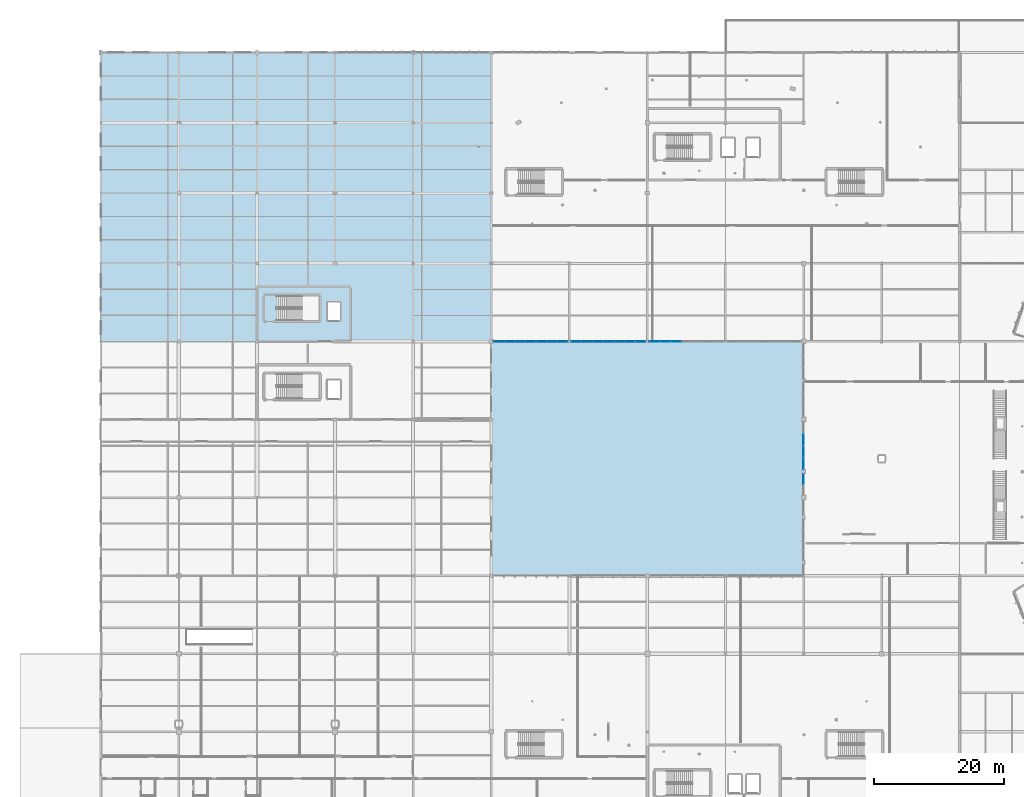
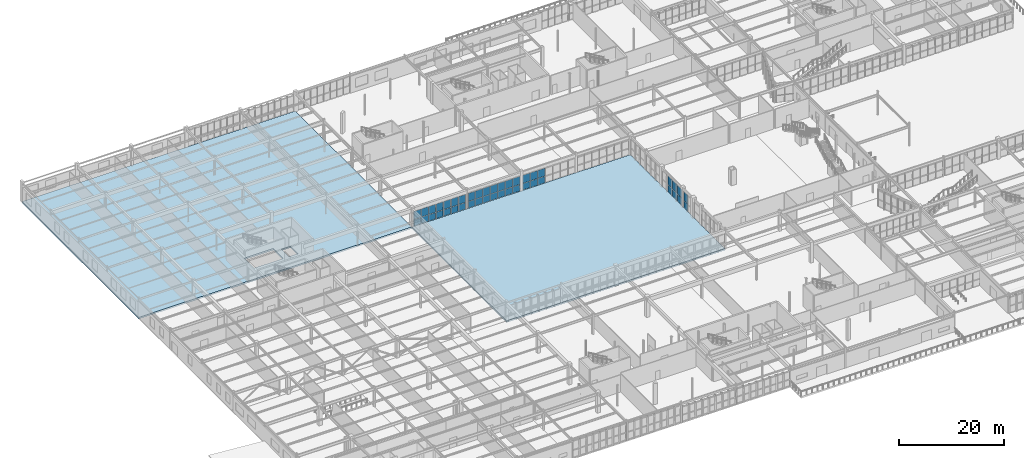
# One storey, part 120 of 199: 42 plates, 2 slabs, 5 elements without a shape of their own.
"""IFC4 building model written with IfcOpenShell, lengths in metres."""

from ifc_helpers import new_model, si_unit, direction, frame, origin, origin_2d, place, context, subcontext, project, spatial, polyline, rectangle, outline, extrude, material, layer, layer_set, type_object, element, aggregate, save


model = new_model("IFC4")

# Units and contexts
model_context = context("Model", 3, precision=1e-05, world=origin(), true_north=direction((0.0, 1.0)))
body_context = subcontext(model_context, "Body", "Model", "MODEL_VIEW")
ifc_project = project(units=[si_unit("LENGTHUNIT", "METRE"), si_unit("AREAUNIT", "SQUARE_METRE"), si_unit("VOLUMEUNIT", "CUBIC_METRE"), si_unit("PLANEANGLEUNIT", "RADIAN"), si_unit("MASSUNIT", "GRAM", prefix="KILO")], contexts=[model_context])

# Site, building, storey
site_placement = place(None, origin())
site = spatial("IfcSite", under=ifc_project, at=site_placement, CompositionType="ELEMENT")
building_placement = place(site_placement, origin())
building = spatial("IfcBuilding", under=site, at=building_placement, Name="Tarnwether General Hospital", CompositionType="ELEMENT")
storey_placement = place(building_placement, origin())
storey = spatial("IfcBuildingStorey", under=building, at=storey_placement, Name="L00", CompositionType="ELEMENT", Elevation=0.0)

# Curtain wall, plates
ifc_material_1 = material(Name="Anodised aluminium", Category="aluminium")
ifc_layer_1 = layer(ifc_material_1, 0.179931640625)
ifc_layer_set_1 = layer_set([ifc_layer_1], Name="Anodised aluminium")
curtain_wall_type_1 = type_object("IfcCurtainWallType", Name="CW-08", PredefinedType="NOTDEFINED", material=ifc_layer_set_1)
curtain_wall_1_placement = place(storey_placement, origin())
curtain_wall_1 = element("IfcCurtainWall", 1, at=curtain_wall_1_placement, inside=storey, type_object=curtain_wall_type_1, Name="Curtain Wall CWG-L00-1080_580-0301", PredefinedType="NOTDEFINED")
ifc_material_2 = material(Name="Double glazed low-E glass", Category="glass")
ifc_layer_2 = layer(ifc_material_2, 0.028076171875)
ifc_layer_set_2 = layer_set([ifc_layer_2], Name="Double glazed low-E glass")
plate_type = type_object("IfcPlateType", Name="PT-CWP1", PredefinedType="CURTAIN_PANEL", material=ifc_layer_set_2)
plate_1_placement = place(storey_placement, frame((108.0, 60.437255859375, 0.06005859375), z_axis=(0.0, 0.0, 1.0), x_axis=(0.0, 1.0, 0.0)))
plate_1 = element("IfcPlate", 2, at=plate_1_placement, type_object=plate_type, Name="CW-08 panel 2.1", PredefinedType="CURTAIN_PANEL", context=body_context, shape_type="SweptSolid", body=[
    extrude(rectangle(XDim=1.53955078125, YDim=0.028076171875, at=origin_2d()), origin(), (0.0, 0.0, 1.0), 1.63037109375),
])
plate_2_placement = place(storey_placement, frame((108.0, 60.437255859375, 1.750244140625), z_axis=(0.0, 0.0, 1.0), x_axis=(0.0, 1.0, 0.0)))
plate_2 = element("IfcPlate", 3, at=plate_2_placement, type_object=plate_type, Name="CW-08 panel 2.2", PredefinedType="CURTAIN_PANEL", context=body_context, shape_type="SweptSolid", body=[
    extrude(rectangle(XDim=1.53955078125, YDim=0.028076171875, at=origin_2d()), origin(), (0.0, 0.0, 1.0), 2.0126953125),
])
aggregate(curtain_wall_1, [plate_1, plate_2])

curtain_wall_2_placement = place(storey_placement, origin())
curtain_wall_2 = element("IfcCurtainWall", 4, at=curtain_wall_2_placement, inside=storey, type_object=curtain_wall_type_1, Name="Curtain Wall CWG-L00-1080_619-0302", PredefinedType="NOTDEFINED")
plate_3_placement = place(storey_placement, frame((108.0, 62.8583984375, 0.06005859375), z_axis=(0.0, 0.0, 1.0), x_axis=(0.0, 1.0, 0.0)))
plate_3 = element("IfcPlate", 5, at=plate_3_placement, type_object=plate_type, Name="CW-08 panel 1.1", PredefinedType="CURTAIN_PANEL", context=body_context, shape_type="SweptSolid", body=[
    extrude(rectangle(XDim=1.73095703125, YDim=0.028076171875, at=origin_2d()), origin(), (0.0, 0.0, 1.0), 1.63037109375),
])
plate_4_placement = place(storey_placement, frame((108.0, 62.8583984375, 1.750244140625), z_axis=(0.0, 0.0, 1.0), x_axis=(0.0, 1.0, 0.0)))
plate_4 = element("IfcPlate", 6, at=plate_4_placement, type_object=plate_type, Name="CW-08 panel 1.2", PredefinedType="CURTAIN_PANEL", context=body_context, shape_type="SweptSolid", body=[
    extrude(rectangle(XDim=1.73095703125, YDim=0.028076171875, at=origin_2d()), origin(), (0.0, 0.0, 1.0), 2.0126953125),
])
plate_5_placement = place(storey_placement, frame((108.0, 64.66455078125, 0.06005859375), z_axis=(0.0, 0.0, 1.0), x_axis=(0.0, 1.0, 0.0)))
plate_5 = element("IfcPlate", 7, at=plate_5_placement, type_object=plate_type, Name="CW-08 panel 2.1", PredefinedType="CURTAIN_PANEL", context=body_context, shape_type="SweptSolid", body=[
    extrude(rectangle(XDim=1.760986328125, YDim=0.028076171875, at=origin_2d()), origin(), (0.0, 0.0, 1.0), 1.63037109375),
])
plate_6_placement = place(storey_placement, frame((108.0, 64.66455078125, 1.750244140625), z_axis=(0.0, 0.0, 1.0), x_axis=(0.0, 1.0, 0.0)))
plate_6 = element("IfcPlate", 8, at=plate_6_placement, type_object=plate_type, Name="CW-08 panel 2.2", PredefinedType="CURTAIN_PANEL", context=body_context, shape_type="SweptSolid", body=[
    extrude(rectangle(XDim=1.760986328125, YDim=0.028076171875, at=origin_2d()), origin(), (0.0, 0.0, 1.0), 2.0126953125),
])
plate_7_placement = place(storey_placement, frame((108.0, 66.485595703125, 0.06005859375), z_axis=(0.0, 0.0, 1.0), x_axis=(0.0, 1.0, 0.0)))
plate_7 = element("IfcPlate", 9, at=plate_7_placement, type_object=plate_type, Name="CW-08 panel 3.1", PredefinedType="CURTAIN_PANEL", context=body_context, shape_type="SweptSolid", body=[
    extrude(rectangle(XDim=1.760986328125, YDim=0.028076171875, at=origin_2d()), origin(), (0.0, 0.0, 1.0), 1.63037109375),
])
plate_8_placement = place(storey_placement, frame((108.0, 66.485595703125, 1.750244140625), z_axis=(0.0, 0.0, 1.0), x_axis=(0.0, 1.0, 0.0)))
plate_8 = element("IfcPlate", 10, at=plate_8_placement, type_object=plate_type, Name="CW-08 panel 3.2", PredefinedType="CURTAIN_PANEL", context=body_context, shape_type="SweptSolid", body=[
    extrude(rectangle(XDim=1.760986328125, YDim=0.028076171875, at=origin_2d()), origin(), (0.0, 0.0, 1.0), 2.0126953125),
])
aggregate(curtain_wall_2, [plate_3, plate_4, plate_5, plate_6, plate_7, plate_8])

ifc_material_3 = material(Name="Anodised aluminium", Category="aluminium")
ifc_layer_3 = layer(ifc_material_3, 0.159912109375)
ifc_layer_set_3 = layer_set([ifc_layer_3], Name="Anodised aluminium")
curtain_wall_type_2 = type_object("IfcCurtainWallType", Name="CW-23", PredefinedType="NOTDEFINED", material=ifc_layer_set_3)
curtain_wall_3_placement = place(storey_placement, origin())
curtain_wall_3 = element("IfcCurtainWall", 11, at=curtain_wall_3_placement, inside=storey, type_object=curtain_wall_type_2, Name="Curtain Wall CWG-L00-603_816-0305", PredefinedType="NOTDEFINED")
plate_9_placement = place(storey_placement, frame((61.166259765625, 81.60009765625, 0.06005859375), z_axis=(0.0, 0.0, 1.0), x_axis=(1.0, 0.0, 0.0)))
plate_9 = element("IfcPlate", 12, at=plate_9_placement, type_object=plate_type, Name="CW-23 panel 1.1", PredefinedType="CURTAIN_PANEL", context=body_context, shape_type="SweptSolid", body=[
    extrude(rectangle(XDim=1.546630859375, YDim=0.028076171875, at=origin_2d()), origin(), (0.0, 0.0, 1.0), 1.49853515625),
])
plate_10_placement = place(storey_placement, frame((61.166259765625, 81.60009765625, 1.618408203125), z_axis=(0.0, 0.0, 1.0), x_axis=(1.0, 0.0, 0.0)))
plate_10 = element("IfcPlate", 13, at=plate_10_placement, type_object=plate_type, Name="CW-23 panel 1.2", PredefinedType="CURTAIN_PANEL", context=body_context, shape_type="SweptSolid", body=[
    extrude(rectangle(XDim=1.546630859375, YDim=0.028076171875, at=origin_2d()), origin(), (0.0, 0.0, 1.0), 1.8515625),
])
plate_11_placement = place(storey_placement, frame((62.787841796875, 81.60009765625, 0.06005859375), z_axis=(0.0, 0.0, 1.0), x_axis=(1.0, 0.0, 0.0)))
plate_11 = element("IfcPlate", 14, at=plate_11_placement, type_object=plate_type, Name="CW-23 panel 2.1", PredefinedType="CURTAIN_PANEL", context=body_context, shape_type="SweptSolid", body=[
    extrude(rectangle(XDim=1.57666015625, YDim=0.028076171875, at=origin_2d()), origin(), (0.0, 0.0, 1.0), 1.49853515625),
])
plate_12_placement = place(storey_placement, frame((62.787841796875, 81.60009765625, 1.618408203125), z_axis=(0.0, 0.0, 1.0), x_axis=(1.0, 0.0, 0.0)))
plate_12 = element("IfcPlate", 15, at=plate_12_placement, type_object=plate_type, Name="CW-23 panel 2.2", PredefinedType="CURTAIN_PANEL", context=body_context, shape_type="SweptSolid", body=[
    extrude(rectangle(XDim=1.57666015625, YDim=0.028076171875, at=origin_2d()), origin(), (0.0, 0.0, 1.0), 1.8515625),
])
plate_13_placement = place(storey_placement, frame((64.42431640625, 81.60009765625, 0.06005859375), z_axis=(0.0, 0.0, 1.0), x_axis=(1.0, 0.0, 0.0)))
plate_13 = element("IfcPlate", 16, at=plate_13_placement, type_object=plate_type, Name="CW-23 panel 3.1", PredefinedType="CURTAIN_PANEL", context=body_context, shape_type="SweptSolid", body=[
    extrude(rectangle(XDim=1.57666015625, YDim=0.028076171875, at=origin_2d()), origin(), (0.0, 0.0, 1.0), 1.49853515625),
])
plate_14_placement = place(storey_placement, frame((64.42431640625, 81.60009765625, 1.618408203125), z_axis=(0.0, 0.0, 1.0), x_axis=(1.0, 0.0, 0.0)))
plate_14 = element("IfcPlate", 17, at=plate_14_placement, type_object=plate_type, Name="CW-23 panel 3.2", PredefinedType="CURTAIN_PANEL", context=body_context, shape_type="SweptSolid", body=[
    extrude(rectangle(XDim=1.57666015625, YDim=0.028076171875, at=origin_2d()), origin(), (0.0, 0.0, 1.0), 1.8515625),
])
plate_15_placement = place(storey_placement, frame((66.06103515625, 81.60009765625, 0.06005859375), z_axis=(0.0, 0.0, 1.0), x_axis=(1.0, 0.0, 0.0)))
plate_15 = element("IfcPlate", 18, at=plate_15_placement, type_object=plate_type, Name="CW-23 panel 4.1", PredefinedType="CURTAIN_PANEL", context=body_context, shape_type="SweptSolid", body=[
    extrude(rectangle(XDim=1.57666015625, YDim=0.028076171875, at=origin_2d()), origin(), (0.0, 0.0, 1.0), 1.49853515625),
])
plate_16_placement = place(storey_placement, frame((66.06103515625, 81.60009765625, 1.618408203125), z_axis=(0.0, 0.0, 1.0), x_axis=(1.0, 0.0, 0.0)))
plate_16 = element("IfcPlate", 19, at=plate_16_placement, type_object=plate_type, Name="CW-23 panel 4.2", PredefinedType="CURTAIN_PANEL", context=body_context, shape_type="SweptSolid", body=[
    extrude(rectangle(XDim=1.57666015625, YDim=0.028076171875, at=origin_2d()), origin(), (0.0, 0.0, 1.0), 1.8515625),
])
plate_17_placement = place(storey_placement, frame((67.697509765625, 81.60009765625, 0.06005859375), z_axis=(0.0, 0.0, 1.0), x_axis=(1.0, 0.0, 0.0)))
plate_17 = element("IfcPlate", 20, at=plate_17_placement, type_object=plate_type, Name="CW-23 panel 5.1", PredefinedType="CURTAIN_PANEL", context=body_context, shape_type="SweptSolid", body=[
    extrude(rectangle(XDim=1.57666015625, YDim=0.028076171875, at=origin_2d()), origin(), (0.0, 0.0, 1.0), 1.49853515625),
])
plate_18_placement = place(storey_placement, frame((67.697509765625, 81.60009765625, 1.618408203125), z_axis=(0.0, 0.0, 1.0), x_axis=(1.0, 0.0, 0.0)))
plate_18 = element("IfcPlate", 21, at=plate_18_placement, type_object=plate_type, Name="CW-23 panel 5.2", PredefinedType="CURTAIN_PANEL", context=body_context, shape_type="SweptSolid", body=[
    extrude(rectangle(XDim=1.57666015625, YDim=0.028076171875, at=origin_2d()), origin(), (0.0, 0.0, 1.0), 1.8515625),
])
plate_19_placement = place(storey_placement, frame((69.334228515625, 81.60009765625, 0.06005859375), z_axis=(0.0, 0.0, 1.0), x_axis=(1.0, 0.0, 0.0)))
plate_19 = element("IfcPlate", 22, at=plate_19_placement, type_object=plate_type, Name="CW-23 panel 6.1", PredefinedType="CURTAIN_PANEL", context=body_context, shape_type="SweptSolid", body=[
    extrude(rectangle(XDim=1.57666015625, YDim=0.028076171875, at=origin_2d()), origin(), (0.0, 0.0, 1.0), 1.49853515625),
])
plate_20_placement = place(storey_placement, frame((69.334228515625, 81.60009765625, 1.618408203125), z_axis=(0.0, 0.0, 1.0), x_axis=(1.0, 0.0, 0.0)))
plate_20 = element("IfcPlate", 23, at=plate_20_placement, type_object=plate_type, Name="CW-23 panel 6.2", PredefinedType="CURTAIN_PANEL", context=body_context, shape_type="SweptSolid", body=[
    extrude(rectangle(XDim=1.57666015625, YDim=0.028076171875, at=origin_2d()), origin(), (0.0, 0.0, 1.0), 1.8515625),
])
plate_21_placement = place(storey_placement, frame((70.955810546875, 81.60009765625, 0.06005859375), z_axis=(0.0, 0.0, 1.0), x_axis=(1.0, 0.0, 0.0)))
plate_21 = element("IfcPlate", 24, at=plate_21_placement, type_object=plate_type, Name="CW-23 panel 7.1", PredefinedType="CURTAIN_PANEL", context=body_context, shape_type="SweptSolid", body=[
    extrude(rectangle(XDim=1.546630859375, YDim=0.028076171875, at=origin_2d()), origin(), (0.0, 0.0, 1.0), 1.49853515625),
])
plate_22_placement = place(storey_placement, frame((70.955810546875, 81.60009765625, 1.618408203125), z_axis=(0.0, 0.0, 1.0), x_axis=(1.0, 0.0, 0.0)))
plate_22 = element("IfcPlate", 25, at=plate_22_placement, type_object=plate_type, Name="CW-23 panel 7.2", PredefinedType="CURTAIN_PANEL", context=body_context, shape_type="SweptSolid", body=[
    extrude(rectangle(XDim=1.546630859375, YDim=0.028076171875, at=origin_2d()), origin(), (0.0, 0.0, 1.0), 1.8515625),
])
aggregate(curtain_wall_3, [plate_9, plate_10, plate_11, plate_12, plate_13, plate_14, plate_15, plate_16, plate_17, plate_18, plate_19, plate_20, plate_21, plate_22])

curtain_wall_4_placement = place(storey_placement, origin())
curtain_wall_4 = element("IfcCurtainWall", 26, at=curtain_wall_4_placement, inside=storey, type_object=curtain_wall_type_2, Name="Curtain Wall CWG-L00-722_816-0306", PredefinedType="NOTDEFINED")
plate_23_placement = place(storey_placement, frame((73.049560546875, 81.60009765625, 0.06005859375), z_axis=(0.0, 0.0, 1.0), x_axis=(1.0, 0.0, 0.0)))
plate_23 = element("IfcPlate", 27, at=plate_23_placement, type_object=plate_type, Name="CW-23 panel 1.1", PredefinedType="CURTAIN_PANEL", context=body_context, shape_type="SweptSolid", body=[
    extrude(rectangle(XDim=1.557373046875, YDim=0.028076171875, at=origin_2d()), origin(), (0.0, 0.0, 1.0), 1.49853515625),
])
plate_24_placement = place(storey_placement, frame((73.049560546875, 81.60009765625, 1.618408203125), z_axis=(0.0, 0.0, 1.0), x_axis=(1.0, 0.0, 0.0)))
plate_24 = element("IfcPlate", 28, at=plate_24_placement, type_object=plate_type, Name="CW-23 panel 1.2", PredefinedType="CURTAIN_PANEL", context=body_context, shape_type="SweptSolid", body=[
    extrude(rectangle(XDim=1.557373046875, YDim=0.028076171875, at=origin_2d()), origin(), (0.0, 0.0, 1.0), 1.8515625),
])
plate_25_placement = place(storey_placement, frame((74.681884765625, 81.60009765625, 0.06005859375), z_axis=(0.0, 0.0, 1.0), x_axis=(1.0, 0.0, 0.0)))
plate_25 = element("IfcPlate", 29, at=plate_25_placement, type_object=plate_type, Name="CW-23 panel 2.1", PredefinedType="CURTAIN_PANEL", context=body_context, shape_type="SweptSolid", body=[
    extrude(rectangle(XDim=1.58740234375, YDim=0.028076171875, at=origin_2d()), origin(), (0.0, 0.0, 1.0), 1.49853515625),
])
plate_26_placement = place(storey_placement, frame((74.681884765625, 81.60009765625, 1.618408203125), z_axis=(0.0, 0.0, 1.0), x_axis=(1.0, 0.0, 0.0)))
plate_26 = element("IfcPlate", 30, at=plate_26_placement, type_object=plate_type, Name="CW-23 panel 2.2", PredefinedType="CURTAIN_PANEL", context=body_context, shape_type="SweptSolid", body=[
    extrude(rectangle(XDim=1.58740234375, YDim=0.028076171875, at=origin_2d()), origin(), (0.0, 0.0, 1.0), 1.8515625),
])
plate_27_placement = place(storey_placement, frame((76.3291015625, 81.60009765625, 0.06005859375), z_axis=(0.0, 0.0, 1.0), x_axis=(1.0, 0.0, 0.0)))
plate_27 = element("IfcPlate", 31, at=plate_27_placement, type_object=plate_type, Name="CW-23 panel 3.1", PredefinedType="CURTAIN_PANEL", context=body_context, shape_type="SweptSolid", body=[
    extrude(rectangle(XDim=1.58740234375, YDim=0.028076171875, at=origin_2d()), origin(), (0.0, 0.0, 1.0), 1.49853515625),
])
plate_28_placement = place(storey_placement, frame((76.3291015625, 81.60009765625, 1.618408203125), z_axis=(0.0, 0.0, 1.0), x_axis=(1.0, 0.0, 0.0)))
plate_28 = element("IfcPlate", 32, at=plate_28_placement, type_object=plate_type, Name="CW-23 panel 3.2", PredefinedType="CURTAIN_PANEL", context=body_context, shape_type="SweptSolid", body=[
    extrude(rectangle(XDim=1.58740234375, YDim=0.028076171875, at=origin_2d()), origin(), (0.0, 0.0, 1.0), 1.8515625),
])
plate_29_placement = place(storey_placement, frame((77.9765625, 81.60009765625, 0.06005859375), z_axis=(0.0, 0.0, 1.0), x_axis=(1.0, 0.0, 0.0)))
plate_29 = element("IfcPlate", 33, at=plate_29_placement, type_object=plate_type, Name="CW-23 panel 4.1", PredefinedType="CURTAIN_PANEL", context=body_context, shape_type="SweptSolid", body=[
    extrude(rectangle(XDim=1.58740234375, YDim=0.028076171875, at=origin_2d()), origin(), (0.0, 0.0, 1.0), 1.49853515625),
])
plate_30_placement = place(storey_placement, frame((77.9765625, 81.60009765625, 1.618408203125), z_axis=(0.0, 0.0, 1.0), x_axis=(1.0, 0.0, 0.0)))
plate_30 = element("IfcPlate", 34, at=plate_30_placement, type_object=plate_type, Name="CW-23 panel 4.2", PredefinedType="CURTAIN_PANEL", context=body_context, shape_type="SweptSolid", body=[
    extrude(rectangle(XDim=1.58740234375, YDim=0.028076171875, at=origin_2d()), origin(), (0.0, 0.0, 1.0), 1.8515625),
])
plate_31_placement = place(storey_placement, frame((79.623779296875, 81.60009765625, 0.06005859375), z_axis=(0.0, 0.0, 1.0), x_axis=(1.0, 0.0, 0.0)))
plate_31 = element("IfcPlate", 35, at=plate_31_placement, type_object=plate_type, Name="CW-23 panel 5.1", PredefinedType="CURTAIN_PANEL", context=body_context, shape_type="SweptSolid", body=[
    extrude(rectangle(XDim=1.58740234375, YDim=0.028076171875, at=origin_2d()), origin(), (0.0, 0.0, 1.0), 1.49853515625),
])
plate_32_placement = place(storey_placement, frame((79.623779296875, 81.60009765625, 1.618408203125), z_axis=(0.0, 0.0, 1.0), x_axis=(1.0, 0.0, 0.0)))
plate_32 = element("IfcPlate", 36, at=plate_32_placement, type_object=plate_type, Name="CW-23 panel 5.2", PredefinedType="CURTAIN_PANEL", context=body_context, shape_type="SweptSolid", body=[
    extrude(rectangle(XDim=1.58740234375, YDim=0.028076171875, at=origin_2d()), origin(), (0.0, 0.0, 1.0), 1.8515625),
])
plate_33_placement = place(storey_placement, frame((81.27099609375, 81.60009765625, 0.06005859375), z_axis=(0.0, 0.0, 1.0), x_axis=(1.0, 0.0, 0.0)))
plate_33 = element("IfcPlate", 37, at=plate_33_placement, type_object=plate_type, Name="CW-23 panel 6.1", PredefinedType="CURTAIN_PANEL", context=body_context, shape_type="SweptSolid", body=[
    extrude(rectangle(XDim=1.58740234375, YDim=0.028076171875, at=origin_2d()), origin(), (0.0, 0.0, 1.0), 1.49853515625),
])
plate_34_placement = place(storey_placement, frame((81.27099609375, 81.60009765625, 1.618408203125), z_axis=(0.0, 0.0, 1.0), x_axis=(1.0, 0.0, 0.0)))
plate_34 = element("IfcPlate", 38, at=plate_34_placement, type_object=plate_type, Name="CW-23 panel 6.2", PredefinedType="CURTAIN_PANEL", context=body_context, shape_type="SweptSolid", body=[
    extrude(rectangle(XDim=1.58740234375, YDim=0.028076171875, at=origin_2d()), origin(), (0.0, 0.0, 1.0), 1.8515625),
])
plate_35_placement = place(storey_placement, frame((82.9033203125, 81.60009765625, 0.06005859375), z_axis=(0.0, 0.0, 1.0), x_axis=(1.0, 0.0, 0.0)))
plate_35 = element("IfcPlate", 39, at=plate_35_placement, type_object=plate_type, Name="CW-23 panel 7.1", PredefinedType="CURTAIN_PANEL", context=body_context, shape_type="SweptSolid", body=[
    extrude(rectangle(XDim=1.557373046875, YDim=0.028076171875, at=origin_2d()), origin(), (0.0, 0.0, 1.0), 1.49853515625),
])
plate_36_placement = place(storey_placement, frame((82.9033203125, 81.60009765625, 1.618408203125), z_axis=(0.0, 0.0, 1.0), x_axis=(1.0, 0.0, 0.0)))
plate_36 = element("IfcPlate", 40, at=plate_36_placement, type_object=plate_type, Name="CW-23 panel 7.2", PredefinedType="CURTAIN_PANEL", context=body_context, shape_type="SweptSolid", body=[
    extrude(rectangle(XDim=1.557373046875, YDim=0.028076171875, at=origin_2d()), origin(), (0.0, 0.0, 1.0), 1.8515625),
])
aggregate(curtain_wall_4, [plate_23, plate_24, plate_25, plate_26, plate_27, plate_28, plate_29, plate_30, plate_31, plate_32, plate_33, plate_34, plate_35, plate_36])

curtain_wall_5_placement = place(storey_placement, origin())
curtain_wall_5 = element("IfcCurtainWall", 41, at=curtain_wall_5_placement, inside=storey, type_object=curtain_wall_type_2, Name="Curtain Wall CWG-L00-843_816-0307", PredefinedType="NOTDEFINED")
plate_37_placement = place(storey_placement, frame((85.100341796875, 81.60009765625, 0.06005859375), z_axis=(0.0, 0.0, 1.0), x_axis=(1.0, 0.0, 0.0)))
plate_37 = element("IfcPlate", 42, at=plate_37_placement, type_object=plate_type, Name="CW-23 panel 1.1", PredefinedType="CURTAIN_PANEL", context=body_context, shape_type="SweptSolid", body=[
    extrude(rectangle(XDim=1.564453125, YDim=0.028076171875, at=origin_2d()), origin(), (0.0, 0.0, 1.0), 1.49853515625),
])
plate_38_placement = place(storey_placement, frame((85.100341796875, 81.60009765625, 1.618408203125), z_axis=(0.0, 0.0, 1.0), x_axis=(1.0, 0.0, 0.0)))
plate_38 = element("IfcPlate", 43, at=plate_38_placement, type_object=plate_type, Name="CW-23 panel 1.2", PredefinedType="CURTAIN_PANEL", context=body_context, shape_type="SweptSolid", body=[
    extrude(rectangle(XDim=1.564453125, YDim=0.028076171875, at=origin_2d()), origin(), (0.0, 0.0, 1.0), 1.8515625),
])
plate_39_placement = place(storey_placement, frame((86.73974609375, 81.60009765625, 0.06005859375), z_axis=(0.0, 0.0, 1.0), x_axis=(1.0, 0.0, 0.0)))
plate_39 = element("IfcPlate", 44, at=plate_39_placement, type_object=plate_type, Name="CW-23 panel 2.1", PredefinedType="CURTAIN_PANEL", context=body_context, shape_type="SweptSolid", body=[
    extrude(rectangle(XDim=1.594482421875, YDim=0.028076171875, at=origin_2d()), origin(), (0.0, 0.0, 1.0), 1.49853515625),
])
plate_40_placement = place(storey_placement, frame((86.73974609375, 81.60009765625, 1.618408203125), z_axis=(0.0, 0.0, 1.0), x_axis=(1.0, 0.0, 0.0)))
plate_40 = element("IfcPlate", 45, at=plate_40_placement, type_object=plate_type, Name="CW-23 panel 2.2", PredefinedType="CURTAIN_PANEL", context=body_context, shape_type="SweptSolid", body=[
    extrude(rectangle(XDim=1.594482421875, YDim=0.028076171875, at=origin_2d()), origin(), (0.0, 0.0, 1.0), 1.8515625),
])
plate_41_placement = place(storey_placement, frame((88.39453125, 81.60009765625, 0.06005859375), z_axis=(0.0, 0.0, 1.0), x_axis=(1.0, 0.0, 0.0)))
plate_41 = element("IfcPlate", 46, at=plate_41_placement, type_object=plate_type, Name="CW-23 panel 3.1", PredefinedType="CURTAIN_PANEL", context=body_context, shape_type="SweptSolid", body=[
    extrude(rectangle(XDim=1.594482421875, YDim=0.028076171875, at=origin_2d()), origin(), (0.0, 0.0, 1.0), 1.49853515625),
])
plate_42_placement = place(storey_placement, frame((88.39453125, 81.60009765625, 1.618408203125), z_axis=(0.0, 0.0, 1.0), x_axis=(1.0, 0.0, 0.0)))
plate_42 = element("IfcPlate", 47, at=plate_42_placement, type_object=plate_type, Name="CW-23 panel 3.2", PredefinedType="CURTAIN_PANEL", context=body_context, shape_type="SweptSolid", body=[
    extrude(rectangle(XDim=1.594482421875, YDim=0.028076171875, at=origin_2d()), origin(), (0.0, 0.0, 1.0), 1.8515625),
])
aggregate(curtain_wall_5, [plate_37, plate_38, plate_39, plate_40, plate_41, plate_42])

# Slabs
ifc_material_4 = material(Name="Concrete 40 MPa", Category="concrete")
ifc_layer_4 = layer(ifc_material_4, 0.3701171875)
ifc_layer_set_4 = layer_set([ifc_layer_4], Name="Concrete 40 MPa")
slab_type = type_object("IfcSlabType", Name="SL-FL260", PredefinedType="FLOOR", material=ifc_layer_set_4)
slab_1_placement = place(storey_placement, frame((0.0, 0.0, -0.3701171875)))
element("IfcSlab", 48, at=slab_1_placement, inside=storey, type_object=slab_type, Name="L00 Imaging North-West Floor SL-L00-V4W2", PredefinedType="FLOOR", context=body_context, shape_type="SweptSolid", body=[
    extrude(outline(polyline([(0.0, 81.60009765625), (0.0, 126.0), (60.0, 126.0), (60.0, 81.60009765625), (0.0, 81.60009765625)]), holes=[polyline([(36.780029296875, 87.6298828125), (34.820068359375, 87.6298828125), (34.820068359375, 84.77001953125), (36.780029296875, 84.77001953125), (36.780029296875, 87.6298828125)]), polyline([(33.60009765625, 88.60009765625), (27.179931640625, 88.60009765625), (27.179931640625, 84.800048828125), (33.60009765625, 84.800048828125), (33.60009765625, 88.60009765625)])]), origin(), (0.0, 0.0, 1.0), 0.3701171875),
])
slab_2_placement = place(storey_placement, frame((0.0, 0.0, -0.3701171875)))
element("IfcSlab", 49, at=slab_2_placement, inside=storey, type_object=slab_type, Name="L00 Central Healing Courtyard Deck SL-L00-CRT", PredefinedType="FLOOR", context=body_context, shape_type="SweptSolid", body=[
    extrude(outline(polyline([(108.0, 45.60009765625), (108.0, 81.60009765625), (60.0, 81.60009765625), (60.0, 45.60009765625), (108.0, 45.60009765625)])), origin(), (0.0, 0.0, 1.0), 0.3701171875),
])

save(model, "model.ifc")
